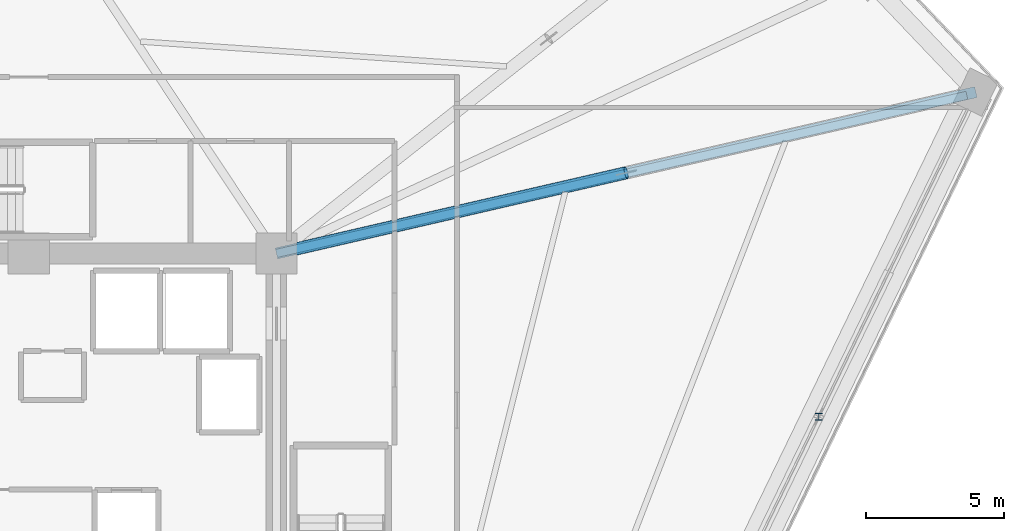
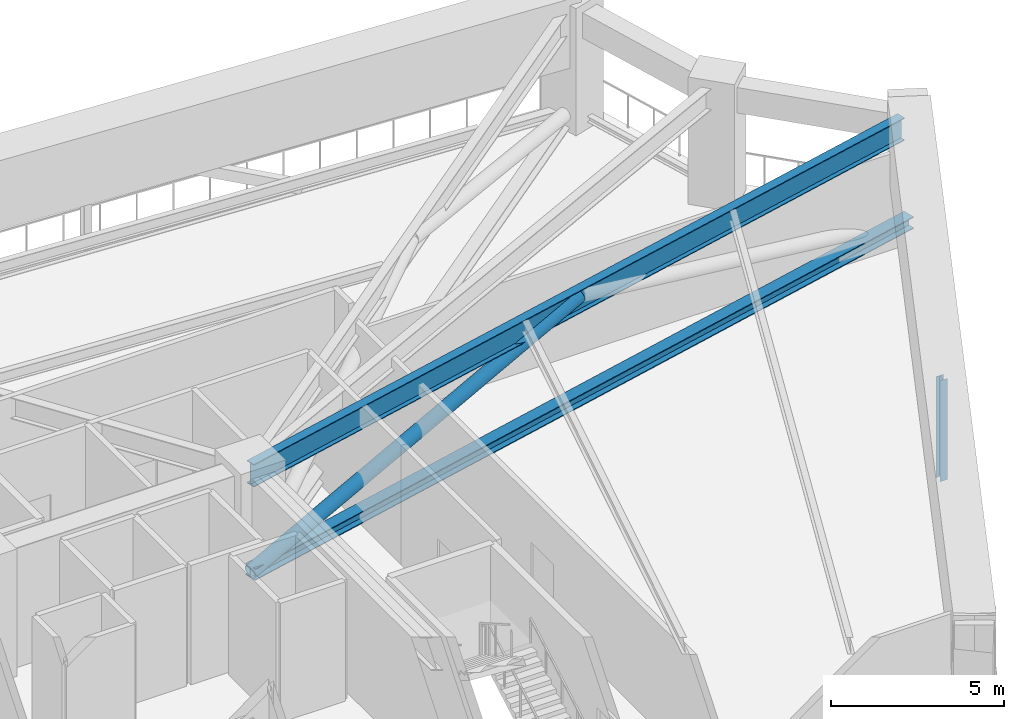
# One storey, part 9 of 27: 3 members, 1 beam.
"""IFC4 building model written with IfcOpenShell, lengths in metres."""

from ifc_helpers import new_model, si_unit, direction, frame, origin, origin_2d, place, context, subcontext, project, spatial, hollow_circle, i_section, extrude, source, transform, mapped, material, material_profile, profile_set, type_object, element, save


model = new_model("IFC4")

# Units and contexts
model_context = context("Model", 3, precision=1e-05, world=origin(), true_north=direction((0.0, 1.0)))
body_context = subcontext(model_context, "Body", "Model", "MODEL_VIEW")
ifc_project = project(units=[si_unit("LENGTHUNIT", "METRE"), si_unit("AREAUNIT", "SQUARE_METRE"), si_unit("VOLUMEUNIT", "CUBIC_METRE"), si_unit("PLANEANGLEUNIT", "RADIAN"), si_unit("MASSUNIT", "GRAM", prefix="KILO")], contexts=[model_context])

# Site, building, storey
site_placement = place(None, origin())
site = spatial("IfcSite", under=ifc_project, at=site_placement, CompositionType="ELEMENT")
building_placement = place(site_placement, origin())
building = spatial("IfcBuilding", under=site, at=building_placement, Name="Liaohun Quay Tower", CompositionType="ELEMENT")
storey_placement = place(building_placement, frame((0.0, 0.0, 185.25)))
storey = spatial("IfcBuildingStorey", under=building, at=storey_placement, Name="L48", CompositionType="ELEMENT", Elevation=185.25)

# Member
ifc_material_1 = material(Name="Steel Q355D", Category="steel")
ifc_material_profile_1 = material_profile(ifc_material_1, i_section(OverallWidth=0.25, OverallDepth=0.25, WebThickness=0.009033203125, FlangeThickness=0.013916015625, at=origin_2d()), Name="HW250x250x9x14")
ifc_profile_set_1 = profile_set([ifc_material_profile_1], Name="Steel Q355D")
member_type_1 = type_object("IfcMemberType", Name="MEM-BLT-PST", PredefinedType="POST", material=ifc_profile_set_1)
shared_shape_1 = source(origin(), body_context, "Body", "SweptSolid", [
    extrude(i_section(OverallWidth=0.25, OverallDepth=0.25, WebThickness=0.009033203125, FlangeThickness=0.013916015625, at=origin_2d()), origin(), (0.0, 0.0, 1.0), 3.56982421875),
])
member_1_placement = place(storey_placement, frame((88.712890625, 55.569091796875, 0.35009765625), z_axis=(0.0, 0.0, 1.0), x_axis=(1.0, 0.0, 0.0)))
element("IfcMember", 1, at=member_1_placement, inside=storey, type_object=member_type_1, Name="L48 Belt Truss Vertical Post BP-1-05", PredefinedType="POST", context=body_context, shape_type="MappedRepresentation", body=[
    mapped(shared_shape_1, transform((0.0, 0.0, 0.0), x_axis=(1.0, 0.0, 0.0), y_axis=(0.0, 1.0, 0.0), z_axis=(0.0, 0.0, 1.0), scale=1.0)),
])

# Beam
ifc_material_profile_2 = material_profile(ifc_material_1, i_section(OverallWidth=0.300048828125, OverallDepth=0.800048828125, WebThickness=0.013916015625, FlangeThickness=0.02587890625, at=origin_2d()), Name="HN800x300x14x26")
ifc_profile_set_2 = profile_set([ifc_material_profile_2], Name="Steel Q355D")
beam_type = type_object("IfcBeamType", Name="BM-RAD-M1", PredefinedType="BEAM", material=ifc_profile_set_2)
shared_shape_2 = source(origin(), body_context, "Body", "SweptSolid", [
    extrude(i_section(OverallWidth=0.300048828125, OverallDepth=0.800048828125, WebThickness=0.013916015625, FlangeThickness=0.02587890625, at=origin_2d()), origin(), (0.0, 0.0, 1.0), 25.74755859375),
])
beam_placement = place(storey_placement, frame((69.0, 61.5, 3.820068359375), z_axis=(0.974770627557, 0.223208923772, 0.0), x_axis=(-0.223208923772, 0.974770627557, 0.0)))
element("IfcBeam", 2, at=beam_placement, inside=storey, type_object=beam_type, Name="L48 Radial Primary Girder CC4-PC09", PredefinedType="BEAM", context=body_context, shape_type="MappedRepresentation", body=[
    mapped(shared_shape_2, transform((0.0, 0.0, 0.0), x_axis=(1.0, 0.0, 0.0), y_axis=(0.0, 1.0, 0.0), z_axis=(0.0, 0.0, 1.0), scale=1.0)),
])

# Members
ifc_material_2 = material(Name="Steel Q420D", Category="steel")
ifc_material_profile_3 = material_profile(ifc_material_2, i_section(OverallWidth=0.405029296875, OverallDepth=0.4140625, WebThickness=0.01806640625, FlangeThickness=0.028076171875, at=origin_2d()), Name="HW414x405x18x28")
ifc_profile_set_3 = profile_set([ifc_material_profile_3], Name="Steel Q420D")
member_type_2 = type_object("IfcMemberType", Name="MEM-OUT-CHD", PredefinedType="CHORD", material=ifc_profile_set_3)
shared_shape_3 = source(origin(), body_context, "Body", "SweptSolid", [
    extrude(i_section(OverallWidth=0.405029296875, OverallDepth=0.4140625, WebThickness=0.01806640625, FlangeThickness=0.028076171875, at=origin_2d()), origin(), (0.0, 0.0, 1.0), 26.0927734375),
])
member_2_placement = place(storey_placement, frame((69.0, 61.5, 0.35009765625), z_axis=(0.974410746355, 0.224774770356, 0.0), x_axis=(-0.224774770356, 0.974410746355, 0.0)))
element("IfcMember", 3, at=member_2_placement, inside=storey, type_object=member_type_2, Name="L48 Outrigger Bottom Chord OC-05", PredefinedType="CHORD", context=body_context, shape_type="MappedRepresentation", body=[
    mapped(shared_shape_3, transform((0.0, 0.0, 0.0), x_axis=(1.0, 0.0, 0.0), y_axis=(0.0, 1.0, 0.0), z_axis=(0.0, 0.0, 1.0), scale=1.0)),
])
ifc_material_profile_4 = material_profile(ifc_material_2, hollow_circle(Radius=0.228515625, WallThickness=0.02001953125, at=origin_2d()), Name="CHS457x20")
ifc_profile_set_4 = profile_set([ifc_material_profile_4], Name="Steel Q420D")
member_type_3 = type_object("IfcMemberType", Name="MEM-OUT-DG1", PredefinedType="BRACE", material=ifc_profile_set_4)
shared_shape_4 = source(origin(), body_context, "Body", "SweptSolid", [
    extrude(hollow_circle(Radius=0.228515625, WallThickness=0.02001953125, at=origin_2d()), origin(), (0.0, 0.0, 1.0), 13.5263671875),
])
member_3_placement = place(storey_placement, frame((69.0, 61.5, 0.35009765625), z_axis=(0.939855490942, 0.216842523202, 0.263914714022), x_axis=(-0.224813040352, 0.974401917531, 0.0)))
element("IfcMember", 4, at=member_3_placement, inside=storey, type_object=member_type_3, Name="L48 Outrigger Diagonal OD-05A", PredefinedType="BRACE", context=body_context, shape_type="MappedRepresentation", body=[
    mapped(shared_shape_4, transform((0.0, 0.0, 0.0), x_axis=(1.0, 0.0, 0.0), y_axis=(0.0, 1.0, 0.0), z_axis=(0.0, 0.0, 1.0), scale=1.0)),
])

save(model, "model.ifc")
